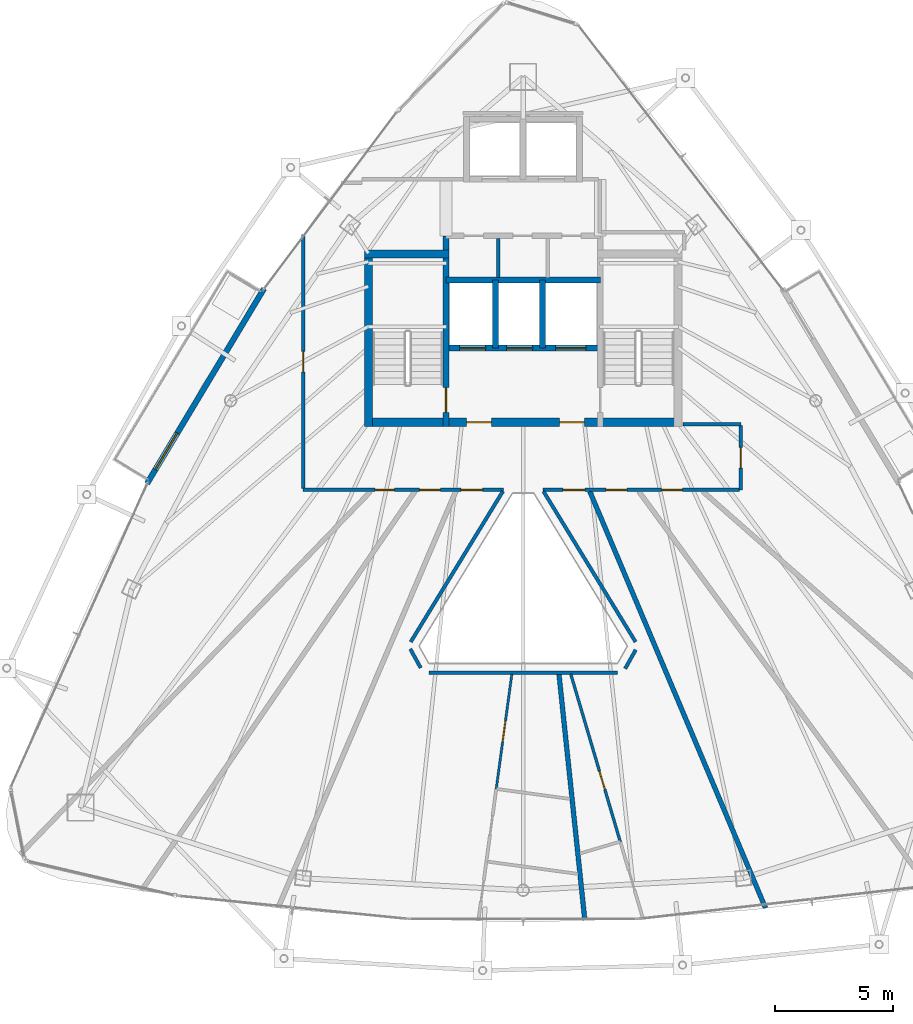
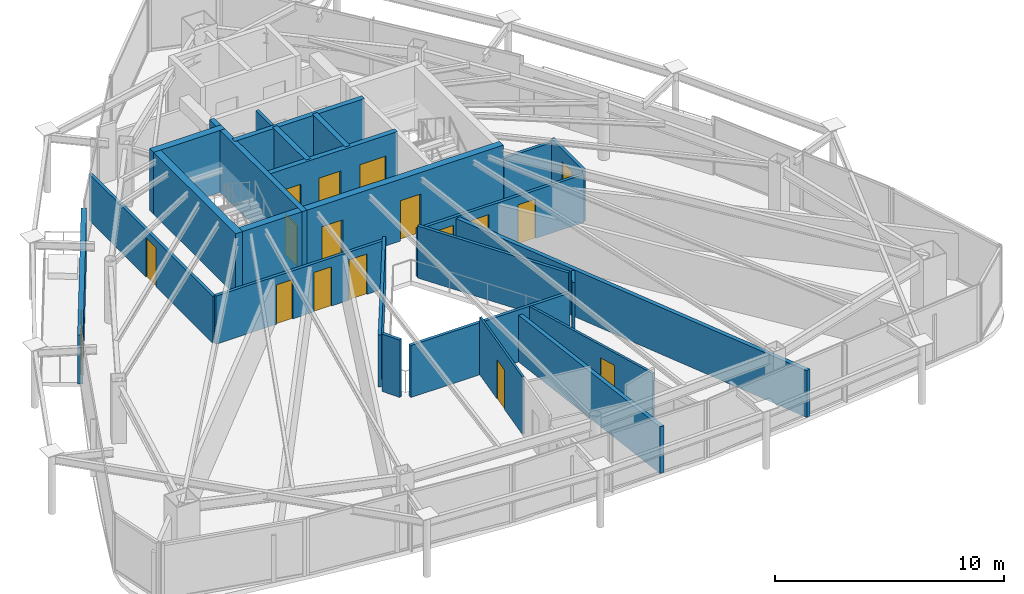
# One storey, part 25 of 28: 24 walls, 17 doors, 17 openings.
"""IFC4 building model written with IfcOpenShell, lengths in metres."""

import ifcopenshell
import ifcopenshell.guid

model = None  # the IFC model being written
_history = None  # IfcOwnerHistory: only IFC2X3 demands one
_inside = {}  # id of a spatial element -> (the spatial element, [elements in it])
_under = {}  # id of a project, library or spatial element -> (it, [spatial elements below it])
_declared = {}  # id of a project -> (the project, [libraries it declares])
_typed = {}  # id of a type object -> (the type object, [elements of that type])
_made_of = {}  # id of a material, layer set ... -> (it, [elements and type objects made of it])


def new_model(schema):
    """Start an empty IFC model of exactly this schema.

    Asked for "IFC4X3", IfcOpenShell would pick the latest addendum, in which some entities
    have other attributes; the version numbers below select the first issue.
    IFC2X3 requires an IfcOwnerHistory on every rooted entity: one is made here for all.
    """
    global model, _history
    if schema == "IFC4X3":
        model = ifcopenshell.file(schema_version=(4, 3, 0, 0))
    else:
        model = ifcopenshell.file(schema=schema)
    _inside.clear()
    _under.clear()
    _declared.clear()
    _typed.clear()
    _made_of.clear()
    _history = None
    if model.schema == "IFC2X3":
        org = make("IfcOrganization", Name="unknown")
        user = make(
            "IfcPersonAndOrganization",
            ThePerson=make("IfcPerson", FamilyName="unknown"),
            TheOrganization=org,
        )
        app = make(
            "IfcApplication",
            ApplicationDeveloper=org,
            Version="unknown",
            ApplicationFullName="unknown",
            ApplicationIdentifier="unknown",
        )
        _history = make(
            "IfcOwnerHistory",
            OwningUser=user,
            OwningApplication=app,
            ChangeAction="ADDED",
            CreationDate=0,
        )
    return model


def make(cls, **values):
    """One entity of the class cls with the attributes given. An attribute that is None is left unset."""
    return model.create_entity(
        cls, **{name: value for name, value in values.items() if value is not None}
    )


def rooted(cls, **values):
    """An entity with a GlobalId (a new one), such as an element, a storey or a relation."""
    return make(cls, GlobalId=ifcopenshell.guid.new(), OwnerHistory=_history, **values)


def si_unit(unit_type, name, prefix=None):
    """IfcSIUnit, for example si_unit("LENGTHUNIT", "METRE", prefix="MILLI")."""
    return make("IfcSIUnit", UnitType=unit_type, Prefix=prefix, Name=name)


def assignment(units):
    """IfcUnitAssignment: the units of a project."""
    return None if units is None else make("IfcUnitAssignment", Units=units)


def point(xyz):
    """IfcCartesianPoint."""
    return None if xyz is None else make("IfcCartesianPoint", Coordinates=xyz)


def direction(xyz):
    """IfcDirection."""
    return None if xyz is None else make("IfcDirection", DirectionRatios=xyz)


def frame(location, z_axis=None, x_axis=None):
    """IfcAxis2Placement3D, a coordinate frame: its origin and axes. An axis left out is left unset."""
    return make(
        "IfcAxis2Placement3D",
        Location=point(location),
        Axis=direction(z_axis),
        RefDirection=direction(x_axis),
    )


def frame_2d(location, x_axis=None):
    """IfcAxis2Placement2D, a coordinate frame in the plane: its origin and x axis."""
    return make(
        "IfcAxis2Placement2D", Location=point(location), RefDirection=direction(x_axis)
    )


def origin():
    """The frame at (0, 0, 0) with its axes left unset."""
    return frame((0.0, 0.0, 0.0))


def place(relative_to, where):
    """IfcLocalPlacement: puts the frame where relative to a parent placement (None: the world)."""
    return make(
        "IfcLocalPlacement", PlacementRelTo=relative_to, RelativePlacement=where
    )


def context(
    kind, dimensions, precision=None, world=None, true_north=None, identifier=None
):
    """IfcGeometricRepresentationContext, for example the 3D "Model" context."""
    return make(
        "IfcGeometricRepresentationContext",
        ContextIdentifier=identifier,
        ContextType=kind,
        CoordinateSpaceDimension=dimensions,
        Precision=precision,
        WorldCoordinateSystem=world,
        TrueNorth=true_north,
    )


def subcontext(parent, identifier, kind, view, scale=None):
    """IfcGeometricRepresentationSubContext, for example "Body" below "Model"."""
    return make(
        "IfcGeometricRepresentationSubContext",
        ContextIdentifier=identifier,
        ContextType=kind,
        ParentContext=parent,
        TargetScale=scale,
        TargetView=view,
    )


def project(units=None, contexts=None):
    """IfcProject with its units and contexts."""
    return rooted(
        "IfcProject",
        Name="project",
        RepresentationContexts=contexts,
        UnitsInContext=assignment(units),
    )


def spatial(cls, under=None, at=None, **own):
    """A site, building, storey or space (cls), placed at a placement, below another one or the project."""
    s = rooted(cls, ObjectPlacement=at, **own)
    if under is not None:
        _under.setdefault(under.id(), (under, []))[1].append(s)
    return s


def profile(cls, at=None, kind="AREA", **sizes):
    """A parametric profile (cls). Its sizes go by their IFC names, for example OverallWidth=200.0."""
    return make(cls, ProfileType=kind, Position=at, **sizes)


def rectangle(**sizes):
    """IfcRectangleProfileDef."""
    return profile("IfcRectangleProfileDef", **sizes)


def extrude(swept, where, along, depth):
    """IfcExtrudedAreaSolid: the profile swept, set in the frame where, extruded along a direction by depth."""
    return make(
        "IfcExtrudedAreaSolid",
        SweptArea=swept,
        Position=where,
        ExtrudedDirection=direction(along),
        Depth=depth,
    )


def shape(context_of_items, identifier, shape_type, items):
    """IfcShapeRepresentation: the items that make up one representation, for example the "Body"."""
    return make(
        "IfcShapeRepresentation",
        ContextOfItems=context_of_items,
        RepresentationIdentifier=identifier,
        RepresentationType=shape_type,
        Items=items,
    )


def material(Name=None, Category=None):
    """IfcMaterial."""
    return make("IfcMaterial", Name=Name, Category=Category)


def layer(
    of_material, thickness, ventilated=None, Name=None, Category=None, Priority=None
):
    """IfcMaterialLayer: one layer of a wall or slab, of a material (None: an air gap)."""
    return make(
        "IfcMaterialLayer",
        Material=of_material,
        LayerThickness=thickness,
        IsVentilated=ventilated,
        Name=Name,
        Category=Category,
        Priority=Priority,
    )


def layer_set(layers, Name=None):
    """IfcMaterialLayerSet."""
    return make("IfcMaterialLayerSet", MaterialLayers=layers, LayerSetName=Name)


def made_of(thing, what):
    """Note that an element or type object is made of a material, layer set ...; save() writes the relation."""
    if what is not None:
        _made_of.setdefault(what.id(), (what, []))[1].append(thing)
    return thing


def type_object(cls, material=None, **own):
    """A type object (cls), such as IfcWallType, which elements share."""
    return made_of(rooted(cls, **own), material)


def element(
    cls,
    number,
    at=None,
    inside=None,
    cuts=None,
    type_object=None,
    material=None,
    context=None,
    identifier="Body",
    shape_type=None,
    held_by="IfcProductDefinitionShape",
    body=None,
    shapes=None,
    **own,
):
    """One element of the class cls, such as IfcWall. Its Tag is "e" and its number.

    at: its placement. inside: the storey or other place that contains it. cuts: it is an
    opening in that element (IfcRelVoidsElement). A single representation is given by context,
    identifier, shape_type and body (its items); several are given by shapes. held_by: the class
    of the entity that holds the representations. save() writes the other relations.
    """
    e = rooted(cls, Tag="e%d" % number, ObjectPlacement=at, **own)
    if body is not None:
        shapes = [shape(context, identifier, shape_type, body)]
    if shapes is not None:
        e.Representation = make(held_by, Representations=shapes)
    if inside is not None:
        _inside.setdefault(inside.id(), (inside, []))[1].append(e)
    if cuts is not None:
        rooted(
            "IfcRelVoidsElement", RelatingBuildingElement=cuts, RelatedOpeningElement=e
        )
    if type_object is not None:
        _typed.setdefault(type_object.id(), (type_object, []))[1].append(e)
    return made_of(e, material)


def fill(opening, filler):
    """IfcRelFillsElement: the door or window that sits in an opening."""
    return rooted(
        "IfcRelFillsElement",
        RelatingOpeningElement=opening,
        RelatedBuildingElement=filler,
    )


def aggregate(whole, parts):
    """IfcRelAggregates: a whole, such as a stair, and the parts it consists of."""
    return rooted("IfcRelAggregates", RelatingObject=whole, RelatedObjects=parts)


def save(model, path):
    """Write the relations noted so far, then the file.

    IfcRelAggregates (storeys below a building ...), IfcRelContainedInSpatialStructure (elements
    in a storey), IfcRelDefinesByType, IfcRelAssociatesMaterial and IfcRelDeclares: one each for
    every whole, place, type object, material and project.
    """
    for whole, parts in _under.values():
        aggregate(whole, parts)
    for where, things in _inside.values():
        rooted(
            "IfcRelContainedInSpatialStructure",
            RelatedElements=things,
            RelatingStructure=where,
        )
    for kind, things in _typed.values():
        rooted("IfcRelDefinesByType", RelatedObjects=things, RelatingType=kind)
    for what, things in _made_of.values():
        rooted("IfcRelAssociatesMaterial", RelatedObjects=things, RelatingMaterial=what)
    for by, libraries in _declared.values():
        rooted("IfcRelDeclares", RelatingContext=by, RelatedDefinitions=libraries)
    model.write(path)


model = new_model("IFC4")

# Units and contexts
model_context = context("Model", 3, precision=1e-05, world=origin(), true_north=direction((0.0, 1.0)))
body_context = subcontext(model_context, "Body", "Model", "MODEL_VIEW")
ifc_project = project(units=[si_unit("LENGTHUNIT", "METRE"), si_unit("AREAUNIT", "SQUARE_METRE"), si_unit("VOLUMEUNIT", "CUBIC_METRE"), si_unit("PLANEANGLEUNIT", "RADIAN"), si_unit("MASSUNIT", "GRAM", prefix="KILO")], contexts=[model_context])

# Site, building, storey
site_placement = place(None, origin())
site = spatial("IfcSite", under=ifc_project, at=site_placement, CompositionType="ELEMENT")
building_placement = place(site_placement, origin())
building = spatial("IfcBuilding", under=site, at=building_placement, Name="Orvanel Arch Residences", CompositionType="ELEMENT")
storey_placement = place(building_placement, frame((0.0, 0.0, 266.75)))
storey = spatial("IfcBuildingStorey", under=building, at=storey_placement, Name="L76", CompositionType="ELEMENT", Elevation=266.75)

# Wall, opening, door
ifc_material_1 = material(Name="Precast concrete N50 (50 MPa)", Category="concrete")
ifc_layer_1 = layer(ifc_material_1, 0.239990234375)
ifc_layer_set_1 = layer_set([ifc_layer_1], Name="Precast concrete N50 (50 MPa)")
wall_type_1 = type_object("IfcWallType", Name="EW-BAL-240", PredefinedType="SOLIDWALL", material=ifc_layer_set_1)
wall_1_placement = place(storey_placement, frame((21.988037109375, 32.405029296875, 0.0), z_axis=(0.0, 0.0, 1.0), x_axis=(-0.514361929684, -0.857573206958, 0.0)))
wall_1 = element("IfcWall", 1, at=wall_1_placement, inside=storey, type_object=wall_type_1, Name="L76 Balcony Threshold Wall Face 1", PredefinedType="SOLIDWALL", context=body_context, shape_type="SweptSolid", body=[
    extrude(rectangle(XDim=9.65869140625, YDim=0.239990234375, at=frame_2d((4.829345703125, 0.0))), origin(), (0.0, 0.0, 1.0), 2.6240234375),
])
opening_1_placement = place(wall_1_placement, frame((7.162109375, 0.0, 0.0)))
opening_1 = element("IfcOpeningElement", 2, at=opening_1_placement, cuts=wall_1, Name="Opening DB-180", PredefinedType="OPENING", context=body_context, shape_type="SweptSolid", body=[
    extrude(rectangle(XDim=1.800048828125, YDim=2.199951171875, at=frame_2d((0.89990234375, 1.10009765625))), frame((0.0, 0.1298828125, 0.0), z_axis=(0.0, -1.0, 0.0), x_axis=(1.0, 0.0, 0.0)), (0.0, 0.0, 1.0), 0.260009765625),
])
ifc_material_2 = material(Name="Bronze-anodised aluminium AA6063-T6", Category="aluminium")
door_type_1 = type_object("IfcDoorType", Name="DR-BAL-1800", OperationType="NOTDEFINED", PredefinedType="DOOR", material=ifc_material_2)
door_1_placement = place(opening_1_placement, origin())
door_1 = element("IfcDoor", 3, at=door_1_placement, inside=storey, type_object=door_type_1, Name="DR-L76-BAL-F1 L76 Planted Balcony Access Door Face 1", OperationType="SINGLE_SWING_LEFT", OverallHeight=2.199951171875, OverallWidth=1.800048828125, PredefinedType="DOOR", context=body_context, shape_type="SweptSolid", body=[
    extrude(rectangle(XDim=1.800048828125, YDim=2.199951171875, at=frame_2d((0.89990234375, 1.10009765625))), frame((0.0, 0.02490234375, 0.0), z_axis=(0.0, -1.0, 0.0), x_axis=(1.0, 0.0, 0.0)), (0.0, 0.0, 1.0), 0.050048828125),
])
fill(opening_1, door_1)

ifc_material_3 = material(Name="Concrete N50 (50 MPa)", Category="concrete")
ifc_layer_2 = layer(ifc_material_3, 0.25)
ifc_layer_set_2 = layer_set([ifc_layer_2], Name="Concrete N50 (50 MPa)")
wall_type_2 = type_object("IfcWallType", Name="SW-CORE-250", PredefinedType="SHEAR", material=ifc_layer_set_2)
wall_2_placement = place(storey_placement, frame((29.72509765625, 26.550048828125, 0.0), z_axis=(0.0, 0.0, 1.0), x_axis=(0.0, 1.0, 0.0)))
wall_2 = element("IfcWall", 4, at=wall_2_placement, inside=storey, type_object=wall_type_2, Name="L76 West Inner Core Spine Shear Wall", PredefinedType="SHEAR", context=body_context, shape_type="SweptSolid", body=[
    extrude(rectangle(XDim=8.099853515625, YDim=0.25, at=frame_2d((4.0498046875, 0.0))), origin(), (0.0, 0.0, 1.0), 3.300048828125),
])
opening_2_placement = place(wall_2_placement, frame((0.60009765625, 0.0, 0.0)))
opening_2 = element("IfcOpeningElement", 5, at=opening_2_placement, cuts=wall_2, Name="Opening DF-120", PredefinedType="OPENING", context=body_context, shape_type="SweptSolid", body=[
    extrude(rectangle(XDim=1.050048828125, YDim=2.14990234375, at=frame_2d((0.52490234375, 1.074951171875))), frame((0.0, 0.135009765625, 0.0), z_axis=(0.0, -1.0, 0.0), x_axis=(1.0, 0.0, 0.0)), (0.0, 0.0, 1.0), 0.27001953125),
])
ifc_material_4 = material(Name="Galvanised steel fire-resisting door assembly", Category="steel")
door_type_2 = type_object("IfcDoorType", Name="DR-FD120-1050", OperationType="NOTDEFINED", PredefinedType="DOOR", material=ifc_material_4)
door_2_placement = place(opening_2_placement, origin())
door_2 = element("IfcDoor", 6, at=door_2_placement, inside=storey, type_object=door_type_2, Name="DR-L76-ST1 L76 Stair 1 Fire Door", OperationType="SINGLE_SWING_LEFT", OverallHeight=2.14990234375, OverallWidth=1.050048828125, PredefinedType="DOOR", context=body_context, shape_type="SweptSolid", body=[
    extrude(rectangle(XDim=1.050048828125, YDim=2.14990234375, at=frame_2d((0.52490234375, 1.074951171875))), frame((0.0, 0.02490234375, 0.0), z_axis=(0.0, -1.0, 0.0), x_axis=(1.0, 0.0, 0.0)), (0.0, 0.0, 1.0), 0.050048828125),
])
fill(opening_2, door_2)

# Wall, openings, doors
wall_3_placement = place(storey_placement, frame((36.27490234375, 29.875, 0.0), z_axis=(0.0, 0.0, 1.0), x_axis=(-1.0, 0.0, 0.0)))
wall_3 = element("IfcWall", 7, at=wall_3_placement, inside=storey, type_object=wall_type_2, Name="L76 Emergency Lift Front Core Shear Wall", PredefinedType="SHEAR", context=body_context, shape_type="SweptSolid", body=[
    extrude(rectangle(XDim=6.5498046875, YDim=0.25, at=frame_2d((3.27490234375, 0.0))), origin(), (0.0, 0.0, 1.0), 3.300048828125),
])
opening_3_placement = place(wall_3_placement, frame((4.875, 0.0, 0.0)))
opening_3 = element("IfcOpeningElement", 8, at=opening_3_placement, cuts=wall_3, Name="Opening LD-110", PredefinedType="OPENING", context=body_context, shape_type="SweptSolid", body=[
    extrude(rectangle(XDim=1.10009765625, YDim=2.199951171875, at=frame_2d((0.550048828125, 1.10009765625))), frame((0.0, 0.135009765625, 0.0), z_axis=(0.0, -1.0, 0.0), x_axis=(1.0, 0.0, 0.0)), (0.0, 0.0, 1.0), 0.27001953125),
])
opening_4_placement = place(wall_3_placement, frame((2.875, 0.0, 0.0)))
opening_4 = element("IfcOpeningElement", 9, at=opening_4_placement, cuts=wall_3, Name="Opening LD-110", PredefinedType="OPENING", context=body_context, shape_type="SweptSolid", body=[
    extrude(rectangle(XDim=1.10009765625, YDim=2.199951171875, at=frame_2d((0.550048828125, 1.10009765625))), frame((0.0, 0.135009765625, 0.0), z_axis=(0.0, -1.0, 0.0), x_axis=(1.0, 0.0, 0.0)), (0.0, 0.0, 1.0), 0.27001953125),
])
opening_5_placement = place(wall_3_placement, frame((0.60009765625, 0.0, 0.0)))
opening_5 = element("IfcOpeningElement", 10, at=opening_5_placement, cuts=wall_3, Name="Opening LD-130", PredefinedType="OPENING", context=body_context, shape_type="SweptSolid", body=[
    extrude(rectangle(XDim=1.300048828125, YDim=2.199951171875, at=frame_2d((0.64990234375, 1.10009765625))), frame((0.0, 0.135009765625, 0.0), z_axis=(0.0, -1.0, 0.0), x_axis=(1.0, 0.0, 0.0)), (0.0, 0.0, 1.0), 0.27001953125),
])
door_type_3 = type_object("IfcDoorType", Name="DR-LFT-1100", OperationType="NOTDEFINED", PredefinedType="DOOR", material=ifc_material_4)
door_3_placement = place(opening_3_placement, origin())
door_3 = element("IfcDoor", 11, at=door_3_placement, inside=storey, type_object=door_type_3, Name="LD-F1-L76 L76 Lift F1 Sliding Landing Door", OperationType="DOUBLE_DOOR_SLIDING", OverallHeight=2.199951171875, OverallWidth=1.10009765625, PredefinedType="DOOR", context=body_context, shape_type="SweptSolid", body=[
    extrude(rectangle(XDim=1.10009765625, YDim=2.199951171875, at=frame_2d((0.550048828125, 1.10009765625))), frame((0.0, 0.02490234375, 0.0), z_axis=(0.0, -1.0, 0.0), x_axis=(1.0, 0.0, 0.0)), (0.0, 0.0, 1.0), 0.050048828125),
])
fill(opening_3, door_3)
door_4_placement = place(opening_4_placement, origin())
door_4 = element("IfcDoor", 12, at=door_4_placement, inside=storey, type_object=door_type_3, Name="LD-F2-L76 L76 Lift F2 Sliding Landing Door", OperationType="DOUBLE_DOOR_SLIDING", OverallHeight=2.199951171875, OverallWidth=1.10009765625, PredefinedType="DOOR", context=body_context, shape_type="SweptSolid", body=[
    extrude(rectangle(XDim=1.10009765625, YDim=2.199951171875, at=frame_2d((0.550048828125, 1.10009765625))), frame((0.0, 0.02490234375, 0.0), z_axis=(0.0, -1.0, 0.0), x_axis=(1.0, 0.0, 0.0)), (0.0, 0.0, 1.0), 0.050048828125),
])
fill(opening_4, door_4)
door_type_4 = type_object("IfcDoorType", Name="DR-LFT-1300", OperationType="NOTDEFINED", PredefinedType="DOOR", material=ifc_material_4)
door_5_placement = place(opening_5_placement, origin())
door_5 = element("IfcDoor", 13, at=door_5_placement, inside=storey, type_object=door_type_4, Name="LD-G1-L76 L76 Lift G1 Sliding Landing Door", OperationType="DOUBLE_DOOR_SLIDING", OverallHeight=2.199951171875, OverallWidth=1.300048828125, PredefinedType="DOOR", context=body_context, shape_type="SweptSolid", body=[
    extrude(rectangle(XDim=1.300048828125, YDim=2.199951171875, at=frame_2d((0.64990234375, 1.10009765625))), frame((0.0, 0.02490234375, 0.0), z_axis=(0.0, -1.0, 0.0), x_axis=(1.0, 0.0, 0.0)), (0.0, 0.0, 1.0), 0.050048828125),
])
fill(opening_5, door_5)

# Walls
wall_4_placement = place(storey_placement, frame((29.72509765625, 32.77490234375, 0.0), z_axis=(0.0, 0.0, 1.0), x_axis=(1.0, 0.0, 0.0)))
element("IfcWall", 14, at=wall_4_placement, inside=storey, type_object=wall_type_2, Name="L76 Emergency Lift Back Core Shear Wall", PredefinedType="SHEAR", context=body_context, shape_type="SweptSolid", body=[
    extrude(rectangle(XDim=6.5498046875, YDim=0.25, at=frame_2d((3.27490234375, 0.0))), origin(), (0.0, 0.0, 1.0), 3.300048828125),
])
for number, where, z_axis, x_axis, name in (
    (15, (31.824951171875, 29.875, 0.0), (0.0, 0.0, 1.0), (0.0, 1.0, 0.0), "L76 Emergency Lift Inter-Shaft Wall F12"),
    (16, (33.824951171875, 29.875, 0.0), (0.0, 0.0, 1.0), (0.0, 1.0, 0.0), "L76 Emergency Lift Inter-Shaft Wall F2G"),
):
    element("IfcWall", number, at=place(storey_placement, frame(where, z_axis=z_axis, x_axis=x_axis)), inside=storey, type_object=wall_type_2, Name=name, PredefinedType="SHEAR", context=body_context, shape_type="SweptSolid", body=[
        extrude(rectangle(XDim=2.89990234375, YDim=0.25, at=frame_2d((1.449951171875, 0.0))), origin(), (0.0, 0.0, 1.0), 3.300048828125),
    ])

# Wall, openings, doors
ifc_layer_3 = layer(ifc_material_3, 0.35009765625)
ifc_layer_set_3 = layer_set([ifc_layer_3], Name="Concrete N50 (50 MPa)")
wall_type_3 = type_object("IfcWallType", Name="SW-CORE-350", PredefinedType="SHEAR", material=ifc_layer_set_3)
wall_5_placement = place(storey_placement, frame((26.25, 26.72509765625, 0.0), z_axis=(0.0, 0.0, 1.0), x_axis=(1.0, 0.0, 0.0)))
wall_5 = element("IfcWall", 17, at=wall_5_placement, inside=storey, type_object=wall_type_3, Name="L76 South Core Shear Wall", PredefinedType="SHEAR", context=body_context, shape_type="SweptSolid", body=[
    extrude(rectangle(XDim=13.5, YDim=0.35009765625, at=frame_2d((6.75, 0.0))), origin(), (0.0, 0.0, 1.0), 3.300048828125),
])
opening_6_placement = place(wall_5_placement, frame((4.35009765625, 0.0, 0.0)))
opening_6 = element("IfcOpeningElement", 18, at=opening_6_placement, cuts=wall_5, Name="Opening DF-060", PredefinedType="OPENING", context=body_context, shape_type="SweptSolid", body=[
    extrude(rectangle(XDim=1.050048828125, YDim=2.14990234375, at=frame_2d((0.52490234375, 1.074951171875))), frame((0.0, 0.18505859375, 0.0), z_axis=(0.0, -1.0, 0.0), x_axis=(1.0, 0.0, 0.0)), (0.0, 0.0, 1.0), 0.3701171875),
])
opening_7_placement = place(wall_5_placement, frame((8.300048828125, 0.0, 0.0)))
opening_7 = element("IfcOpeningElement", 19, at=opening_7_placement, cuts=wall_5, Name="Opening DF-060", PredefinedType="OPENING", context=body_context, shape_type="SweptSolid", body=[
    extrude(rectangle(XDim=1.050048828125, YDim=2.14990234375, at=frame_2d((0.52490234375, 1.074951171875))), frame((0.0, 0.18505859375, 0.0), z_axis=(0.0, -1.0, 0.0), x_axis=(1.0, 0.0, 0.0)), (0.0, 0.0, 1.0), 0.3701171875),
])
door_type_5 = type_object("IfcDoorType", Name="DR-FD60-1050", OperationType="NOTDEFINED", PredefinedType="DOOR", material=ifc_material_4)
door_6_placement = place(opening_6_placement, origin())
door_6 = element("IfcDoor", 20, at=door_6_placement, inside=storey, type_object=door_type_5, Name="DR-L76-FFL-W L76 West Smoke Lobby Door", OperationType="SINGLE_SWING_LEFT", OverallHeight=2.14990234375, OverallWidth=1.050048828125, PredefinedType="DOOR", context=body_context, shape_type="SweptSolid", body=[
    extrude(rectangle(XDim=1.050048828125, YDim=2.14990234375, at=frame_2d((0.52490234375, 1.074951171875))), frame((0.0, 0.02490234375, 0.0), z_axis=(0.0, -1.0, 0.0), x_axis=(1.0, 0.0, 0.0)), (0.0, 0.0, 1.0), 0.050048828125),
])
fill(opening_6, door_6)
door_7_placement = place(opening_7_placement, origin())
door_7 = element("IfcDoor", 21, at=door_7_placement, inside=storey, type_object=door_type_5, Name="DR-L76-FFL-E L76 East Smoke Lobby Door", OperationType="SINGLE_SWING_RIGHT", OverallHeight=2.14990234375, OverallWidth=1.050048828125, PredefinedType="DOOR", context=body_context, shape_type="SweptSolid", body=[
    extrude(rectangle(XDim=1.050048828125, YDim=2.14990234375, at=frame_2d((0.52490234375, 1.074951171875))), frame((0.0, 0.02490234375, 0.0), z_axis=(0.0, -1.0, 0.0), x_axis=(1.0, 0.0, 0.0)), (0.0, 0.0, 1.0), 0.050048828125),
])
fill(opening_7, door_7)

# Walls
wall_6_placement = place(storey_placement, frame((26.425048828125, 26.550048828125, 0.0), z_axis=(0.0, 0.0, 1.0), x_axis=(0.0, 1.0, 0.0)))
element("IfcWall", 22, at=wall_6_placement, inside=storey, type_object=wall_type_3, Name="L76 West Stair Shear Wall", PredefinedType="SHEAR", context=body_context, shape_type="SweptSolid", body=[
    extrude(rectangle(XDim=7.5, YDim=0.35009765625, at=frame_2d((3.75, 0.0))), origin(), (0.0, 0.0, 1.0), 3.300048828125),
])
wall_7_placement = place(storey_placement, frame((26.25, 33.875, 0.0), z_axis=(0.0, 0.0, 1.0), x_axis=(1.0, 0.0, 0.0)))
element("IfcWall", 23, at=wall_7_placement, inside=storey, type_object=wall_type_3, Name="L76 West Stair North Shear Wall", PredefinedType="SHEAR", context=body_context, shape_type="SweptSolid", body=[
    extrude(rectangle(XDim=3.60009765625, YDim=0.35009765625, at=frame_2d((1.800048828125, 0.0))), origin(), (0.0, 0.0, 1.0), 3.300048828125),
])

# Wall, openings, doors
ifc_material_5 = material(Name="Fire-rated plasterboard lined steel stud partition", Category="steel")
ifc_layer_4 = layer(ifc_material_5, 0.14990234375)
ifc_layer_set_4 = layer_set([ifc_layer_4], Name="Fire-rated plasterboard lined steel stud partition")
wall_type_4 = type_object("IfcWallType", Name="W-COR-150", PredefinedType="PARTITIONING", material=ifc_layer_set_4)
wall_8_placement = place(storey_placement, frame((32.16796875, 23.85009765625, 0.0), z_axis=(0.0, 0.0, 1.0), x_axis=(-1.0, 0.0, 0.0)))
wall_8 = element("IfcWall", 24, at=wall_8_placement, inside=storey, type_object=wall_type_4, Name="L76 Corridor Fire-Rated Partition", PredefinedType="PARTITIONING", context=body_context, shape_type="SweptSolid", body=[
    extrude(rectangle(XDim=8.51806640625, YDim=0.14990234375, at=frame_2d((4.259033203125, 0.0))), origin(), (0.0, 0.0, 1.0), 2.56494140625),
])
opening_8_placement = place(wall_8_placement, frame((0.89404296875, 0.0, 0.0)))
opening_8 = element("IfcOpeningElement", 25, at=opening_8_placement, cuts=wall_8, Name="Opening DA-092", PredefinedType="OPENING", context=body_context, shape_type="SweptSolid", body=[
    extrude(rectangle(XDim=0.919921875, YDim=2.14990234375, at=frame_2d((0.4599609375, 1.074951171875))), frame((0.0, 0.0849609375, 0.0), z_axis=(0.0, -1.0, 0.0), x_axis=(1.0, 0.0, 0.0)), (0.0, 0.0, 1.0), 0.169921875),
])
opening_9_placement = place(wall_8_placement, frame((2.68310546875, 0.0, 0.0)))
opening_9 = element("IfcOpeningElement", 26, at=opening_9_placement, cuts=wall_8, Name="Opening DI-088", PredefinedType="OPENING", context=body_context, shape_type="SweptSolid", body=[
    extrude(rectangle(XDim=0.8798828125, YDim=2.10009765625, at=frame_2d((0.43994140625, 1.050048828125))), frame((0.0, 0.0849609375, 0.0), z_axis=(0.0, -1.0, 0.0), x_axis=(1.0, 0.0, 0.0)), (0.0, 0.0, 1.0), 0.169921875),
])
opening_10_placement = place(wall_8_placement, frame((4.637939453125, 0.0, 0.0)))
opening_10 = element("IfcOpeningElement", 27, at=opening_10_placement, cuts=wall_8, Name="Opening DW-082", PredefinedType="OPENING", context=body_context, shape_type="SweptSolid", body=[
    extrude(rectangle(XDim=0.820068359375, YDim=2.10009765625, at=frame_2d((0.41015625, 1.050048828125))), frame((0.0, 0.0849609375, 0.0), z_axis=(0.0, -1.0, 0.0), x_axis=(1.0, 0.0, 0.0)), (0.0, 0.0, 1.0), 0.169921875),
])
ifc_material_6 = material(Name="Solid-core European oak veneer fire door leaf", Category="wood")
door_type_6 = type_object("IfcDoorType", Name="DR-APT-920", OperationType="NOTDEFINED", PredefinedType="DOOR", material=ifc_material_6)
door_8_placement = place(opening_8_placement, origin())
door_8 = element("IfcDoor", 28, at=door_8_placement, inside=storey, type_object=door_type_6, Name="DR-L76-A-ENT L76 Studio A Entrance Door", OperationType="SINGLE_SWING_RIGHT", OverallHeight=2.14990234375, OverallWidth=0.919921875, PredefinedType="DOOR", context=body_context, shape_type="SweptSolid", body=[
    extrude(rectangle(XDim=0.919921875, YDim=2.14990234375, at=frame_2d((0.4599609375, 1.074951171875))), frame((0.0, 0.02490234375, 0.0), z_axis=(0.0, -1.0, 0.0), x_axis=(1.0, 0.0, 0.0)), (0.0, 0.0, 1.0), 0.050048828125),
])
fill(opening_8, door_8)
door_type_7 = type_object("IfcDoorType", Name="DR-INT-880", OperationType="NOTDEFINED", PredefinedType="DOOR", material=ifc_material_6)
door_9_placement = place(opening_9_placement, origin())
door_9 = element("IfcDoor", 29, at=door_9_placement, inside=storey, type_object=door_type_7, Name="DR-L76-SHRD-FB5 L76 Co-Working Study Office E Door", OperationType="SINGLE_SWING_LEFT", OverallHeight=2.10009765625, OverallWidth=0.8798828125, PredefinedType="DOOR", context=body_context, shape_type="SweptSolid", body=[
    extrude(rectangle(XDim=0.8798828125, YDim=2.10009765625, at=frame_2d((0.43994140625, 1.050048828125))), frame((0.0, 0.02490234375, 0.0), z_axis=(0.0, -1.0, 0.0), x_axis=(1.0, 0.0, 0.0)), (0.0, 0.0, 1.0), 0.050048828125),
])
fill(opening_9, door_9)
door_type_8 = type_object("IfcDoorType", Name="DR-WET-820", OperationType="NOTDEFINED", PredefinedType="DOOR", material=ifc_material_6)
door_10_placement = place(opening_10_placement, origin())
door_10 = element("IfcDoor", 30, at=door_10_placement, inside=storey, type_object=door_type_8, Name="DR-L76-SHRD-FB6 L76 Co-Working Study Office F Door", OperationType="SINGLE_SWING_LEFT", OverallHeight=2.10009765625, OverallWidth=0.820068359375, PredefinedType="DOOR", context=body_context, shape_type="SweptSolid", body=[
    extrude(rectangle(XDim=0.820068359375, YDim=2.10009765625, at=frame_2d((0.41015625, 1.050048828125))), frame((0.0, 0.02490234375, 0.0), z_axis=(0.0, -1.0, 0.0), x_axis=(1.0, 0.0, 0.0)), (0.0, 0.0, 1.0), 0.050048828125),
])
fill(opening_10, door_10)

# Wall, opening, door
wall_9_placement = place(storey_placement, frame((23.64990234375, 23.909912109375, 0.0), z_axis=(0.0, 0.0, 1.0), x_axis=(0.0, 1.0, 0.0)))
wall_9 = element("IfcWall", 31, at=wall_9_placement, inside=storey, type_object=wall_type_4, Name="L76 Corridor Fire-Rated Partition", PredefinedType="PARTITIONING", context=body_context, shape_type="SweptSolid", body=[
    extrude(rectangle(XDim=10.7841796875, YDim=0.14990234375, at=frame_2d((5.39208984375, 0.0))), origin(), (0.0, 0.0, 1.0), 2.491943359375),
])
opening_11_placement = place(wall_9_placement, frame((4.951904296875, 0.0, 0.0)))
opening_11 = element("IfcOpeningElement", 32, at=opening_11_placement, cuts=wall_9, Name="Opening DI-088", PredefinedType="OPENING", context=body_context, shape_type="SweptSolid", body=[
    extrude(rectangle(XDim=0.8798828125, YDim=2.10009765625, at=frame_2d((0.43994140625, 1.050048828125))), frame((0.0, 0.0849609375, 0.0), z_axis=(0.0, -1.0, 0.0), x_axis=(1.0, 0.0, 0.0)), (0.0, 0.0, 1.0), 0.169921875),
])
door_11_placement = place(opening_11_placement, origin())
door_11 = element("IfcDoor", 33, at=door_11_placement, inside=storey, type_object=door_type_7, Name="DR-L76-RET74-2 L76 Boutique Craft Showroom 2 Door", OperationType="SINGLE_SWING_LEFT", OverallHeight=2.10009765625, OverallWidth=0.8798828125, PredefinedType="DOOR", context=body_context, shape_type="SweptSolid", body=[
    extrude(rectangle(XDim=0.8798828125, YDim=2.10009765625, at=frame_2d((0.43994140625, 1.050048828125))), frame((0.0, 0.02490234375, 0.0), z_axis=(0.0, -1.0, 0.0), x_axis=(1.0, 0.0, 0.0)), (0.0, 0.0, 1.0), 0.050048828125),
])
fill(opening_11, door_11)

# Wall
wall_10_placement = place(storey_placement, frame((39.7900390625, 26.64990234375, 0.0), z_axis=(0.0, 0.0, 1.0), x_axis=(1.0, 0.0, 0.0)))
element("IfcWall", 34, at=wall_10_placement, inside=storey, type_object=wall_type_4, Name="L76 Corridor Fire-Rated Partition", PredefinedType="PARTITIONING", context=body_context, shape_type="SweptSolid", body=[
    extrude(rectangle(XDim=2.4599609375, YDim=0.14990234375, at=frame_2d((1.22998046875, 0.0))), origin(), (0.0, 0.0, 1.0), 2.56494140625),
])

# Wall, opening, door
wall_11_placement = place(storey_placement, frame((42.25, 26.590087890625, 0.0), z_axis=(0.0, 0.0, 1.0), x_axis=(0.0, -1.0, 0.0)))
wall_11 = element("IfcWall", 35, at=wall_11_placement, inside=storey, type_object=wall_type_4, Name="L76 Corridor Fire-Rated Partition", PredefinedType="PARTITIONING", context=body_context, shape_type="SweptSolid", body=[
    extrude(rectangle(XDim=2.739990234375, YDim=0.14990234375, at=frame_2d((1.3701171875, 0.0))), origin(), (0.0, 0.0, 1.0), 2.77294921875),
])
opening_12_placement = place(wall_11_placement, frame((0.929931640625, 0.0, 0.0)))
opening_12 = element("IfcOpeningElement", 36, at=opening_12_placement, cuts=wall_11, Name="Opening DI-088", PredefinedType="OPENING", context=body_context, shape_type="SweptSolid", body=[
    extrude(rectangle(XDim=0.8798828125, YDim=2.10009765625, at=frame_2d((0.43994140625, 1.050048828125))), frame((0.0, 0.0849609375, 0.0), z_axis=(0.0, -1.0, 0.0), x_axis=(1.0, 0.0, 0.0)), (0.0, 0.0, 1.0), 0.169921875),
])
door_12_placement = place(opening_12_placement, origin())
door_12 = element("IfcDoor", 37, at=door_12_placement, inside=storey, type_object=door_type_7, Name="DR-L76-RET74-1 L76 Boutique Craft Showroom 1 Door", OperationType="SINGLE_SWING_LEFT", OverallHeight=2.10009765625, OverallWidth=0.8798828125, PredefinedType="DOOR", context=body_context, shape_type="SweptSolid", body=[
    extrude(rectangle(XDim=0.8798828125, YDim=2.10009765625, at=frame_2d((0.43994140625, 1.050048828125))), frame((0.0, 0.02490234375, 0.0), z_axis=(0.0, -1.0, 0.0), x_axis=(1.0, 0.0, 0.0)), (0.0, 0.0, 1.0), 0.050048828125),
])
fill(opening_12, door_12)

# Wall, openings, doors
wall_12_placement = place(storey_placement, frame((42.18994140625, 23.85009765625, 0.0), z_axis=(0.0, 0.0, 1.0), x_axis=(-1.0, 0.0, 0.0)))
wall_12 = element("IfcWall", 38, at=wall_12_placement, inside=storey, type_object=wall_type_4, Name="L76 Corridor Fire-Rated Partition", PredefinedType="PARTITIONING", context=body_context, shape_type="SweptSolid", body=[
    extrude(rectangle(XDim=8.35791015625, YDim=0.14990234375, at=frame_2d((4.178955078125, 0.0))), origin(), (0.0, 0.0, 1.0), 2.56494140625),
])
opening_13_placement = place(wall_12_placement, frame((2.428955078125, 0.0, 0.0)))
opening_13 = element("IfcOpeningElement", 39, at=opening_13_placement, cuts=wall_12, Name="Opening DI-088", PredefinedType="OPENING", context=body_context, shape_type="SweptSolid", body=[
    extrude(rectangle(XDim=0.8798828125, YDim=2.10009765625, at=frame_2d((0.43994140625, 1.050048828125))), frame((0.0, 0.0849609375, 0.0), z_axis=(0.0, -1.0, 0.0), x_axis=(1.0, 0.0, 0.0)), (0.0, 0.0, 1.0), 0.169921875),
])
opening_14_placement = place(wall_12_placement, frame((4.7880859375, 0.0, 0.0)))
opening_14 = element("IfcOpeningElement", 40, at=opening_14_placement, cuts=wall_12, Name="Opening DI-088", PredefinedType="OPENING", context=body_context, shape_type="SweptSolid", body=[
    extrude(rectangle(XDim=0.8798828125, YDim=2.10009765625, at=frame_2d((0.43994140625, 1.050048828125))), frame((0.0, 0.0849609375, 0.0), z_axis=(0.0, -1.0, 0.0), x_axis=(1.0, 0.0, 0.0)), (0.0, 0.0, 1.0), 0.169921875),
])
opening_15_placement = place(wall_12_placement, frame((6.569091796875, 0.0, 0.0)))
opening_15 = element("IfcOpeningElement", 41, at=opening_15_placement, cuts=wall_12, Name="Opening DA-092", PredefinedType="OPENING", context=body_context, shape_type="SweptSolid", body=[
    extrude(rectangle(XDim=0.919921875, YDim=2.14990234375, at=frame_2d((0.4599609375, 1.074951171875))), frame((0.0, 0.0849609375, 0.0), z_axis=(0.0, -1.0, 0.0), x_axis=(1.0, 0.0, 0.0)), (0.0, 0.0, 1.0), 0.169921875),
])
door_13_placement = place(opening_15_placement, origin())
door_13 = element("IfcDoor", 42, at=door_13_placement, inside=storey, type_object=door_type_6, Name="DR-L76-D-ENT L76 Studio D Entrance Door", OperationType="SINGLE_SWING_LEFT", OverallHeight=2.14990234375, OverallWidth=0.919921875, PredefinedType="DOOR", context=body_context, shape_type="SweptSolid", body=[
    extrude(rectangle(XDim=0.919921875, YDim=2.14990234375, at=frame_2d((0.4599609375, 1.074951171875))), frame((0.0, 0.02490234375, 0.0), z_axis=(0.0, -1.0, 0.0), x_axis=(1.0, 0.0, 0.0)), (0.0, 0.0, 1.0), 0.050048828125),
])
fill(opening_15, door_13)
door_14_placement = place(opening_13_placement, origin())
door_14 = element("IfcDoor", 43, at=door_14_placement, inside=storey, type_object=door_type_7, Name="DR-L76-SHRD-FB2 L76 Co-Working Study Office B Door", OperationType="SINGLE_SWING_LEFT", OverallHeight=2.10009765625, OverallWidth=0.8798828125, PredefinedType="DOOR", context=body_context, shape_type="SweptSolid", body=[
    extrude(rectangle(XDim=0.8798828125, YDim=2.10009765625, at=frame_2d((0.43994140625, 1.050048828125))), frame((0.0, 0.02490234375, 0.0), z_axis=(0.0, -1.0, 0.0), x_axis=(1.0, 0.0, 0.0)), (0.0, 0.0, 1.0), 0.050048828125),
])
fill(opening_13, door_14)
door_15_placement = place(opening_14_placement, origin())
door_15 = element("IfcDoor", 44, at=door_15_placement, inside=storey, type_object=door_type_7, Name="DR-L76-SHRD-FB3 L76 Co-Working Study Office C Door", OperationType="SINGLE_SWING_LEFT", OverallHeight=2.10009765625, OverallWidth=0.8798828125, PredefinedType="DOOR", context=body_context, shape_type="SweptSolid", body=[
    extrude(rectangle(XDim=0.8798828125, YDim=2.10009765625, at=frame_2d((0.43994140625, 1.050048828125))), frame((0.0, 0.02490234375, 0.0), z_axis=(0.0, -1.0, 0.0), x_axis=(1.0, 0.0, 0.0)), (0.0, 0.0, 1.0), 0.050048828125),
])
fill(opening_14, door_15)

# Walls
wall_13_placement = place(storey_placement, frame((33.863037109375, 23.7900390625, 0.0), z_axis=(0.0, 0.0, 1.0), x_axis=(0.521913594497, -0.852998358661, 0.0)))
element("IfcWall", 45, at=wall_13_placement, inside=storey, type_object=wall_type_4, Name="L76 Atrium Overlook Glazed Partition", PredefinedType="PARTITIONING", context=body_context, shape_type="SweptSolid", body=[
    extrude(rectangle(XDim=7.4970703125, YDim=0.14990234375, at=frame_2d((3.74853515625, 0.0))), origin(), (0.0, 0.0, 1.0), 2.77294921875),
])
wall_14_placement = place(storey_placement, frame((37.781982421875, 17.05908203125, 0.0), z_axis=(0.0, 0.0, 1.0), x_axis=(-0.489033415255, -0.872265050752, 0.0)))
element("IfcWall", 46, at=wall_14_placement, inside=storey, type_object=wall_type_4, Name="L76 Atrium Overlook Glazed Partition", PredefinedType="PARTITIONING", context=body_context, shape_type="SweptSolid", body=[
    extrude(rectangle(XDim=0.916015625, YDim=0.14990234375, at=frame_2d((0.4580078125, 0.0))), origin(), (0.0, 0.0, 1.0), 3.06005859375),
])
wall_15_placement = place(storey_placement, frame((37.006103515625, 16.087890625, 0.0), z_axis=(0.0, 0.0, 1.0), x_axis=(-1.0, 0.0, 0.0)))
element("IfcWall", 47, at=wall_15_placement, inside=storey, type_object=wall_type_4, Name="L76 Atrium Overlook Glazed Partition", PredefinedType="PARTITIONING", context=body_context, shape_type="SweptSolid", body=[
    extrude(rectangle(XDim=8.01220703125, YDim=0.14990234375, at=frame_2d((4.006103515625, 0.0))), origin(), (0.0, 0.0, 1.0), 2.77294921875),
])
wall_16_placement = place(storey_placement, frame((28.64599609375, 16.2919921875, 0.0), z_axis=(0.0, 0.0, 1.0), x_axis=(-0.482133469033, 0.876097778811, 0.0)))
element("IfcWall", 48, at=wall_16_placement, inside=storey, type_object=wall_type_4, Name="L76 Atrium Overlook Glazed Partition", PredefinedType="PARTITIONING", context=body_context, shape_type="SweptSolid", body=[
    extrude(rectangle(XDim=0.91650390625, YDim=0.14990234375, at=frame_2d((0.458251953125, 0.0))), origin(), (0.0, 0.0, 1.0), 3.06005859375),
])
wall_17_placement = place(storey_placement, frame((28.22412109375, 17.39501953125, 0.0), z_axis=(0.0, 0.0, 1.0), x_axis=(0.521913594497, 0.852998358661, 0.0)))
element("IfcWall", 49, at=wall_17_placement, inside=storey, type_object=wall_type_4, Name="L76 Atrium Overlook Glazed Partition", PredefinedType="PARTITIONING", context=body_context, shape_type="SweptSolid", body=[
    extrude(rectangle(XDim=7.4970703125, YDim=0.14990234375, at=frame_2d((3.74853515625, 0.0))), origin(), (0.0, 0.0, 1.0), 2.77294921875),
])
ifc_layer_5 = layer(ifc_material_5, 0.199951171875)
ifc_layer_set_5 = layer_set([ifc_layer_5], Name="Fire-rated plasterboard lined steel stud partition")
wall_type_5 = type_object("IfcWallType", Name="W-DEM-200", PredefinedType="PARTITIONING", material=ifc_layer_set_5)
wall_18_placement = place(storey_placement, frame((34.52099609375, 16.028076171875, 0.0), z_axis=(0.0, 0.0, 1.0), x_axis=(0.104542147599, -0.994520456992, 0.0)))
element("IfcWall", 50, at=wall_18_placement, inside=storey, type_object=wall_type_5, Name="L76 Inter-Tenancy Acoustic Demising Wall", PredefinedType="PARTITIONING", context=body_context, shape_type="SweptSolid", body=[
    extrude(rectangle(XDim=10.513671875, YDim=0.199951171875, at=frame_2d((5.2568359375, 0.0))), origin(), (0.0, 0.0, 1.0), 2.491943359375),
])
wall_19_placement = place(storey_placement, frame((43.2958984375, 6.090087890625, 0.0), z_axis=(0.0, 0.0, 1.0), x_axis=(-0.388640997534, 0.921389263578, 0.0)))
element("IfcWall", 51, at=wall_19_placement, inside=storey, type_object=wall_type_5, Name="L76 Inter-Tenancy Acoustic Demising Wall", PredefinedType="PARTITIONING", context=body_context, shape_type="SweptSolid", body=[
    extrude(rectangle(XDim=19.2099609375, YDim=0.199951171875, at=frame_2d((9.60498046875, 0.0))), origin(), (0.0, 0.0, 1.0), 2.491943359375),
])

# Wall, opening, door
ifc_material_7 = material(Name="Acoustic plasterboard lined twin-stud partition", Category="gypsum")
ifc_layer_6 = layer(ifc_material_7, 0.10009765625)
ifc_layer_set_6 = layer_set([ifc_layer_6], Name="Acoustic plasterboard lined twin-stud partition")
wall_type_6 = type_object("IfcWallType", Name="W-INT-100", PredefinedType="PARTITIONING", material=ifc_layer_set_6)
wall_20_placement = place(storey_placement, frame((32.51904296875, 16.028076171875, 0.0), z_axis=(0.0, 0.0, 1.0), x_axis=(-0.134690507908, -0.990887716686, 0.0)))
wall_20 = element("IfcWall", 52, at=wall_20_placement, inside=storey, type_object=wall_type_6, Name="L76 Studio A Internal Partition", PredefinedType="PARTITIONING", context=body_context, shape_type="SweptSolid", body=[
    extrude(rectangle(XDim=4.923095703125, YDim=0.10009765625, at=frame_2d((2.46142578125, 0.0))), origin(), (0.0, 0.0, 1.0), 3.06005859375),
])
opening_16_placement = place(wall_20_placement, frame((2.02099609375, 0.0, 0.0)))
opening_16 = element("IfcOpeningElement", 53, at=opening_16_placement, cuts=wall_20, Name="Opening DI-088", PredefinedType="OPENING", context=body_context, shape_type="SweptSolid", body=[
    extrude(rectangle(XDim=0.8798828125, YDim=2.10009765625, at=frame_2d((0.43994140625, 1.050048828125))), frame((0.0, 0.06005859375, 0.0), z_axis=(0.0, -1.0, 0.0), x_axis=(1.0, 0.0, 0.0)), (0.0, 0.0, 1.0), 0.1201171875),
])
door_16_placement = place(opening_16_placement, origin())
door_16 = element("IfcDoor", 54, at=door_16_placement, inside=storey, type_object=door_type_7, Name="DR-L76-A-CAR1 L76 Studio A Allied Health Consulting Room 1 Door", OperationType="SINGLE_SWING_LEFT", OverallHeight=2.10009765625, OverallWidth=0.8798828125, PredefinedType="DOOR", context=body_context, shape_type="SweptSolid", body=[
    extrude(rectangle(XDim=0.8798828125, YDim=2.10009765625, at=frame_2d((0.43994140625, 1.050048828125))), frame((0.0, 0.02490234375, 0.0), z_axis=(0.0, -1.0, 0.0), x_axis=(1.0, 0.0, 0.0)), (0.0, 0.0, 1.0), 0.050048828125),
])
fill(opening_16, door_16)

# Wall
ifc_layer_7 = layer(ifc_material_5, 0.14990234375)
ifc_layer_set_7 = layer_set([ifc_layer_7], Name="Fire-rated plasterboard lined steel stud partition")
wall_type_7 = type_object("IfcWallType", Name="W-ST-150", PredefinedType="PARTITIONING", material=ifc_layer_set_7)
wall_21_placement = place(storey_placement, frame((31.949951171875, 32.885009765625, 0.0), z_axis=(0.0, 0.0, 1.0), x_axis=(0.0, 1.0, 0.0)))
element("IfcWall", 55, at=wall_21_placement, inside=storey, type_object=wall_type_7, Name="L76 Core Service Partition 1", PredefinedType="PARTITIONING", context=body_context, shape_type="SweptSolid", body=[
    extrude(rectangle(XDim=1.655029296875, YDim=0.14990234375, at=frame_2d((0.82763671875, 0.0))), origin(), (0.0, 0.0, 1.0), 3.06005859375),
])

# Wall, opening, door
ifc_layer_8 = layer(ifc_material_7, 0.1201171875)
ifc_layer_set_8 = layer_set([ifc_layer_8], Name="Acoustic plasterboard lined twin-stud partition")
wall_type_8 = type_object("IfcWallType", Name="W-WET-120", PredefinedType="PARTITIONING", material=ifc_layer_set_8)
wall_22_placement = place(storey_placement, frame((37.1240234375, 8.910888671875, 0.0), z_axis=(0.0, 0.0, 1.0), x_axis=(-0.283131577199, 0.959081075818, 0.0)))
wall_22 = element("IfcWall", 56, at=wall_22_placement, inside=storey, type_object=wall_type_8, Name="L76 Studio D Bathroom Partition", PredefinedType="PARTITIONING", context=body_context, shape_type="SweptSolid", body=[
    extrude(rectangle(XDim=7.4208984375, YDim=0.1201171875, at=frame_2d((3.71044921875, 0.0))), origin(), (0.0, 0.0, 1.0), 2.77294921875),
])
opening_17_placement = place(wall_22_placement, frame((2.306884765625, 0.0, 0.0)))
opening_17 = element("IfcOpeningElement", 57, at=opening_17_placement, cuts=wall_22, Name="Opening DW-082", PredefinedType="OPENING", context=body_context, shape_type="SweptSolid", body=[
    extrude(rectangle(XDim=0.820068359375, YDim=2.10009765625, at=frame_2d((0.41015625, 1.050048828125))), frame((0.0, 0.070068359375, 0.0), z_axis=(0.0, -1.0, 0.0), x_axis=(1.0, 0.0, 0.0)), (0.0, 0.0, 1.0), 0.14013671875),
])
door_17_placement = place(opening_17_placement, origin())
door_17 = element("IfcDoor", 58, at=door_17_placement, inside=storey, type_object=door_type_8, Name="DR-L76-D-BATH L76 Studio D Bathroom Door", OperationType="SINGLE_SWING_RIGHT", OverallHeight=2.10009765625, OverallWidth=0.820068359375, PredefinedType="DOOR", context=body_context, shape_type="SweptSolid", body=[
    extrude(rectangle(XDim=0.820068359375, YDim=2.10009765625, at=frame_2d((0.41015625, 1.050048828125))), frame((0.0, 0.02490234375, 0.0), z_axis=(0.0, -1.0, 0.0), x_axis=(1.0, 0.0, 0.0)), (0.0, 0.0, 1.0), 0.050048828125),
])
fill(opening_17, door_17)

save(model, "model.ifc")
